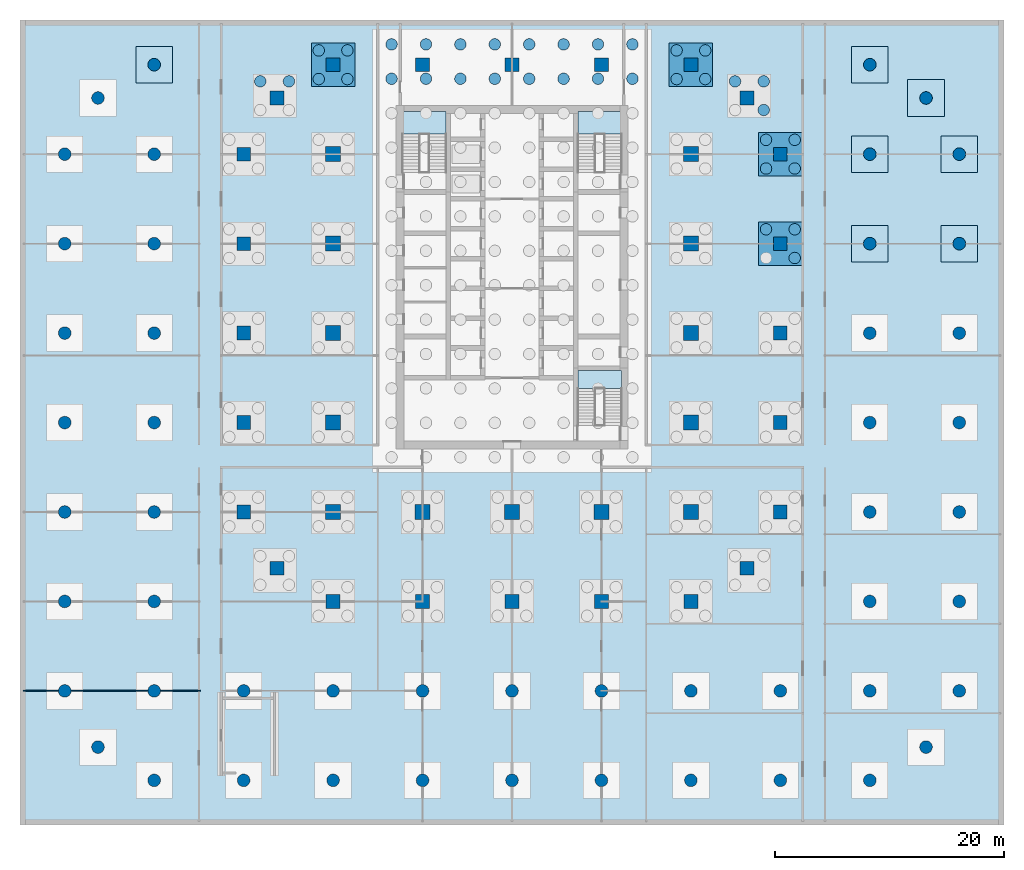
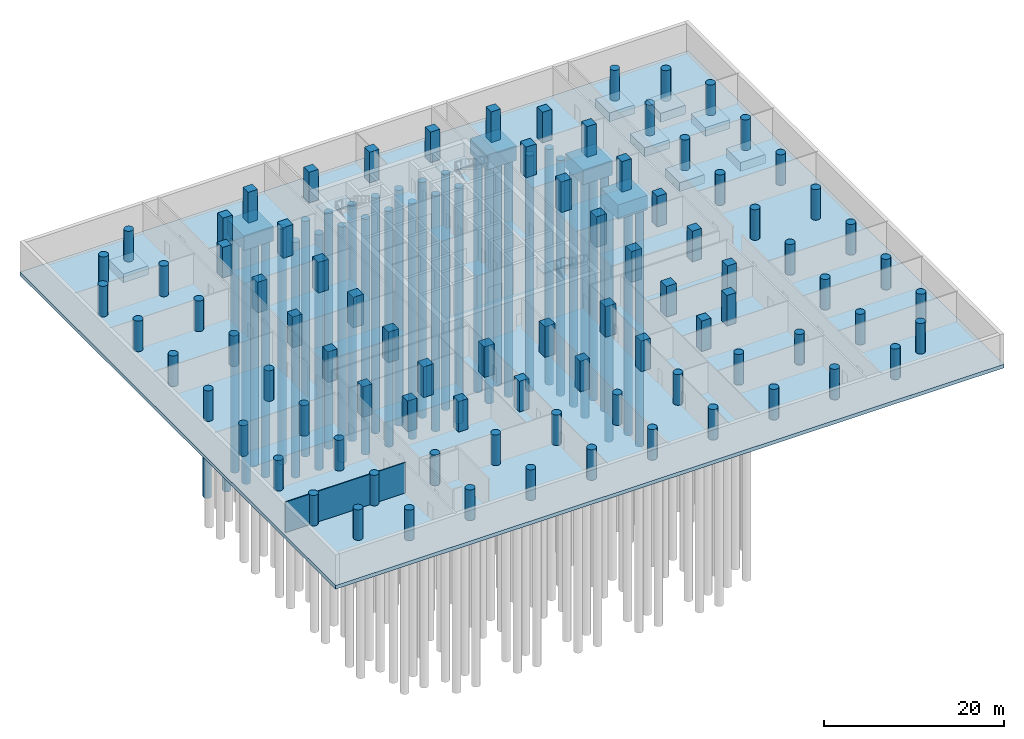
# One storey, part 2 of 16: 87 columns, 36 piles, 11 footings, 4 slabs, 1 wall, 3 elements without a shape of their own.
"""IFC4 building model written with IfcOpenShell, lengths in metres."""

import ifcopenshell
import ifcopenshell.guid

model = None  # the IFC model being written
_history = None  # IfcOwnerHistory: only IFC2X3 demands one
_inside = {}  # id of a spatial element -> (the spatial element, [elements in it])
_under = {}  # id of a project, library or spatial element -> (it, [spatial elements below it])
_declared = {}  # id of a project -> (the project, [libraries it declares])
_typed = {}  # id of a type object -> (the type object, [elements of that type])
_made_of = {}  # id of a material, layer set ... -> (it, [elements and type objects made of it])


def new_model(schema):
    """Start an empty IFC model of exactly this schema.

    Asked for "IFC4X3", IfcOpenShell would pick the latest addendum, in which some entities
    have other attributes; the version numbers below select the first issue.
    IFC2X3 requires an IfcOwnerHistory on every rooted entity: one is made here for all.
    """
    global model, _history
    if schema == "IFC4X3":
        model = ifcopenshell.file(schema_version=(4, 3, 0, 0))
    else:
        model = ifcopenshell.file(schema=schema)
    _inside.clear()
    _under.clear()
    _declared.clear()
    _typed.clear()
    _made_of.clear()
    _history = None
    if model.schema == "IFC2X3":
        org = make("IfcOrganization", Name="unknown")
        user = make(
            "IfcPersonAndOrganization",
            ThePerson=make("IfcPerson", FamilyName="unknown"),
            TheOrganization=org,
        )
        app = make(
            "IfcApplication",
            ApplicationDeveloper=org,
            Version="unknown",
            ApplicationFullName="unknown",
            ApplicationIdentifier="unknown",
        )
        _history = make(
            "IfcOwnerHistory",
            OwningUser=user,
            OwningApplication=app,
            ChangeAction="ADDED",
            CreationDate=0,
        )
    return model


def make(cls, **values):
    """One entity of the class cls with the attributes given. An attribute that is None is left unset."""
    return model.create_entity(
        cls, **{name: value for name, value in values.items() if value is not None}
    )


def rooted(cls, **values):
    """An entity with a GlobalId (a new one), such as an element, a storey or a relation."""
    return make(cls, GlobalId=ifcopenshell.guid.new(), OwnerHistory=_history, **values)


def si_unit(unit_type, name, prefix=None):
    """IfcSIUnit, for example si_unit("LENGTHUNIT", "METRE", prefix="MILLI")."""
    return make("IfcSIUnit", UnitType=unit_type, Prefix=prefix, Name=name)


def assignment(units):
    """IfcUnitAssignment: the units of a project."""
    return None if units is None else make("IfcUnitAssignment", Units=units)


def point(xyz):
    """IfcCartesianPoint."""
    return None if xyz is None else make("IfcCartesianPoint", Coordinates=xyz)


def direction(xyz):
    """IfcDirection."""
    return None if xyz is None else make("IfcDirection", DirectionRatios=xyz)


def frame(location, z_axis=None, x_axis=None):
    """IfcAxis2Placement3D, a coordinate frame: its origin and axes. An axis left out is left unset."""
    return make(
        "IfcAxis2Placement3D",
        Location=point(location),
        Axis=direction(z_axis),
        RefDirection=direction(x_axis),
    )


def frame_2d(location, x_axis=None):
    """IfcAxis2Placement2D, a coordinate frame in the plane: its origin and x axis."""
    return make(
        "IfcAxis2Placement2D", Location=point(location), RefDirection=direction(x_axis)
    )


def origin():
    """The frame at (0, 0, 0) with its axes left unset."""
    return frame((0.0, 0.0, 0.0))


def origin_2d():
    """The frame at (0, 0) in the plane with its x axis left unset."""
    return frame_2d((0.0, 0.0))


def place(relative_to, where):
    """IfcLocalPlacement: puts the frame where relative to a parent placement (None: the world)."""
    return make(
        "IfcLocalPlacement", PlacementRelTo=relative_to, RelativePlacement=where
    )


def context(
    kind, dimensions, precision=None, world=None, true_north=None, identifier=None
):
    """IfcGeometricRepresentationContext, for example the 3D "Model" context."""
    return make(
        "IfcGeometricRepresentationContext",
        ContextIdentifier=identifier,
        ContextType=kind,
        CoordinateSpaceDimension=dimensions,
        Precision=precision,
        WorldCoordinateSystem=world,
        TrueNorth=true_north,
    )


def subcontext(parent, identifier, kind, view, scale=None):
    """IfcGeometricRepresentationSubContext, for example "Body" below "Model"."""
    return make(
        "IfcGeometricRepresentationSubContext",
        ContextIdentifier=identifier,
        ContextType=kind,
        ParentContext=parent,
        TargetScale=scale,
        TargetView=view,
    )


def project(units=None, contexts=None):
    """IfcProject with its units and contexts."""
    return rooted(
        "IfcProject",
        Name="project",
        RepresentationContexts=contexts,
        UnitsInContext=assignment(units),
    )


def spatial(cls, under=None, at=None, **own):
    """A site, building, storey or space (cls), placed at a placement, below another one or the project."""
    s = rooted(cls, ObjectPlacement=at, **own)
    if under is not None:
        _under.setdefault(under.id(), (under, []))[1].append(s)
    return s


def polyline(points):
    """IfcPolyline through the points."""
    return make("IfcPolyline", Points=[point(p) for p in points])


def profile(cls, at=None, kind="AREA", **sizes):
    """A parametric profile (cls). Its sizes go by their IFC names, for example OverallWidth=200.0."""
    return make(cls, ProfileType=kind, Position=at, **sizes)


def rectangle(**sizes):
    """IfcRectangleProfileDef."""
    return profile("IfcRectangleProfileDef", **sizes)


def circle(**sizes):
    """IfcCircleProfileDef."""
    return profile("IfcCircleProfileDef", **sizes)


def outline(outer, holes=None, kind="AREA"):
    """IfcArbitraryClosedProfileDef: a profile drawn as a closed curve; with holes, ...WithVoids."""
    if holes is None:
        return make("IfcArbitraryClosedProfileDef", ProfileType=kind, OuterCurve=outer)
    return make(
        "IfcArbitraryProfileDefWithVoids",
        ProfileType=kind,
        OuterCurve=outer,
        InnerCurves=holes,
    )


def extrude(swept, where, along, depth):
    """IfcExtrudedAreaSolid: the profile swept, set in the frame where, extruded along a direction by depth."""
    return make(
        "IfcExtrudedAreaSolid",
        SweptArea=swept,
        Position=where,
        ExtrudedDirection=direction(along),
        Depth=depth,
    )


def shape(context_of_items, identifier, shape_type, items):
    """IfcShapeRepresentation: the items that make up one representation, for example the "Body"."""
    return make(
        "IfcShapeRepresentation",
        ContextOfItems=context_of_items,
        RepresentationIdentifier=identifier,
        RepresentationType=shape_type,
        Items=items,
    )


def material(Name=None, Category=None):
    """IfcMaterial."""
    return make("IfcMaterial", Name=Name, Category=Category)


def layer(
    of_material, thickness, ventilated=None, Name=None, Category=None, Priority=None
):
    """IfcMaterialLayer: one layer of a wall or slab, of a material (None: an air gap)."""
    return make(
        "IfcMaterialLayer",
        Material=of_material,
        LayerThickness=thickness,
        IsVentilated=ventilated,
        Name=Name,
        Category=Category,
        Priority=Priority,
    )


def layer_set(layers, Name=None):
    """IfcMaterialLayerSet."""
    return make("IfcMaterialLayerSet", MaterialLayers=layers, LayerSetName=Name)


def material_profile(
    of_material, cross_section, Name=None, Category=None, Priority=None
):
    """IfcMaterialProfile: a cross section and its material."""
    return make(
        "IfcMaterialProfile",
        Name=Name,
        Material=of_material,
        Profile=cross_section,
        Priority=Priority,
        Category=Category,
    )


def profile_set(profiles, Name=None, composite=None):
    """IfcMaterialProfileSet."""
    return make(
        "IfcMaterialProfileSet",
        Name=Name,
        MaterialProfiles=profiles,
        CompositeProfile=composite,
    )


def made_of(thing, what):
    """Note that an element or type object is made of a material, layer set ...; save() writes the relation."""
    if what is not None:
        _made_of.setdefault(what.id(), (what, []))[1].append(thing)
    return thing


def type_object(cls, material=None, **own):
    """A type object (cls), such as IfcWallType, which elements share."""
    return made_of(rooted(cls, **own), material)


def element(
    cls,
    number,
    at=None,
    inside=None,
    cuts=None,
    type_object=None,
    material=None,
    context=None,
    identifier="Body",
    shape_type=None,
    held_by="IfcProductDefinitionShape",
    body=None,
    shapes=None,
    **own,
):
    """One element of the class cls, such as IfcWall. Its Tag is "e" and its number.

    at: its placement. inside: the storey or other place that contains it. cuts: it is an
    opening in that element (IfcRelVoidsElement). A single representation is given by context,
    identifier, shape_type and body (its items); several are given by shapes. held_by: the class
    of the entity that holds the representations. save() writes the other relations.
    """
    e = rooted(cls, Tag="e%d" % number, ObjectPlacement=at, **own)
    if body is not None:
        shapes = [shape(context, identifier, shape_type, body)]
    if shapes is not None:
        e.Representation = make(held_by, Representations=shapes)
    if inside is not None:
        _inside.setdefault(inside.id(), (inside, []))[1].append(e)
    if cuts is not None:
        rooted(
            "IfcRelVoidsElement", RelatingBuildingElement=cuts, RelatedOpeningElement=e
        )
    if type_object is not None:
        _typed.setdefault(type_object.id(), (type_object, []))[1].append(e)
    return made_of(e, material)


def aggregate(whole, parts):
    """IfcRelAggregates: a whole, such as a stair, and the parts it consists of."""
    return rooted("IfcRelAggregates", RelatingObject=whole, RelatedObjects=parts)


def save(model, path):
    """Write the relations noted so far, then the file.

    IfcRelAggregates (storeys below a building ...), IfcRelContainedInSpatialStructure (elements
    in a storey), IfcRelDefinesByType, IfcRelAssociatesMaterial and IfcRelDeclares: one each for
    every whole, place, type object, material and project.
    """
    for whole, parts in _under.values():
        aggregate(whole, parts)
    for where, things in _inside.values():
        rooted(
            "IfcRelContainedInSpatialStructure",
            RelatedElements=things,
            RelatingStructure=where,
        )
    for kind, things in _typed.values():
        rooted("IfcRelDefinesByType", RelatedObjects=things, RelatingType=kind)
    for what, things in _made_of.values():
        rooted("IfcRelAssociatesMaterial", RelatedObjects=things, RelatingMaterial=what)
    for by, libraries in _declared.values():
        rooted("IfcRelDeclares", RelatingContext=by, RelatedDefinitions=libraries)
    model.write(path)


model = new_model("IFC4")

# Units and contexts
model_context = context("Model", 3, precision=1e-05, world=origin(), true_north=direction((0.0, 1.0)))
body_context = subcontext(model_context, "Body", "Model", "MODEL_VIEW")
ifc_project = project(units=[si_unit("LENGTHUNIT", "METRE"), si_unit("AREAUNIT", "SQUARE_METRE"), si_unit("VOLUMEUNIT", "CUBIC_METRE"), si_unit("PLANEANGLEUNIT", "RADIAN"), si_unit("MASSUNIT", "GRAM", prefix="KILO")], contexts=[model_context])

# Site, building, storey
site_placement = place(None, origin())
site = spatial("IfcSite", under=ifc_project, at=site_placement, CompositionType="ELEMENT")
building_placement = place(site_placement, origin())
building = spatial("IfcBuilding", under=site, at=building_placement, Name="Ludao Terraces", CompositionType="ELEMENT")
storey_placement = place(building_placement, frame((0.0, 0.0, -9.0)))
storey = spatial("IfcBuildingStorey", under=building, at=storey_placement, Name="B2", CompositionType="ELEMENT", Elevation=-9.0)

# Piles
ifc_material_1 = material(Name="Concrete C40", Category="concrete")
ifc_material_profile_1 = material_profile(ifc_material_1, circle(Radius=0.5, at=origin_2d()), Name="D1000 BORED PILE")
ifc_profile_set_1 = profile_set([ifc_material_profile_1], Name="Concrete C40")
pile_type = type_object("IfcPileType", Name="Bored pile D1000", PredefinedType="BORED", material=ifc_profile_set_1)
for number, where, z_axis, x_axis, name in (
    (1, (74.5, 87.175048828125, -3.89990234375), (0.0, 0.0, -1.0), (1.0, 0.0, 0.0), "Raft pile 1-12"),
    (2, (74.5, 90.175048828125, -3.89990234375), (0.0, 0.0, -1.0), (1.0, 0.0, 0.0), "Raft pile 1-13"),
    (3, (77.5, 87.175048828125, -3.89990234375), (0.0, 0.0, -1.0), (1.0, 0.0, 0.0), "Raft pile 2-12"),
    (4, (77.5, 90.175048828125, -3.89990234375), (0.0, 0.0, -1.0), (1.0, 0.0, 0.0), "Raft pile 2-13"),
    (5, (80.5, 87.175048828125, -3.89990234375), (0.0, 0.0, -1.0), (1.0, 0.0, 0.0), "Raft pile 3-12"),
    (6, (80.5, 90.175048828125, -3.89990234375), (0.0, 0.0, -1.0), (1.0, 0.0, 0.0), "Raft pile 3-13"),
    (7, (83.5, 87.175048828125, -3.89990234375), (0.0, 0.0, -1.0), (1.0, 0.0, 0.0), "Raft pile 4-12"),
    (8, (83.5, 90.175048828125, -3.89990234375), (0.0, 0.0, -1.0), (1.0, 0.0, 0.0), "Raft pile 4-13"),
    (9, (86.5, 87.175048828125, -3.89990234375), (0.0, 0.0, -1.0), (1.0, 0.0, 0.0), "Raft pile 5-12"),
    (10, (86.5, 90.175048828125, -3.89990234375), (0.0, 0.0, -1.0), (1.0, 0.0, 0.0), "Raft pile 5-13"),
    (11, (89.5, 87.175048828125, -3.89990234375), (0.0, 0.0, -1.0), (1.0, 0.0, 0.0), "Raft pile 6-12"),
    (12, (89.5, 90.175048828125, -3.89990234375), (0.0, 0.0, -1.0), (1.0, 0.0, 0.0), "Raft pile 6-13"),
    (13, (92.5, 87.175048828125, -3.89990234375), (0.0, 0.0, -1.0), (1.0, 0.0, 0.0), "Raft pile 7-12"),
    (14, (92.5, 90.175048828125, -3.89990234375), (0.0, 0.0, -1.0), (1.0, 0.0, 0.0), "Raft pile 7-13"),
    (15, (95.5, 87.175048828125, -3.89990234375), (0.0, 0.0, -1.0), (1.0, 0.0, 0.0), "Raft pile 8-12"),
    (16, (95.5, 90.175048828125, -3.89990234375), (0.0, 0.0, -1.0), (1.0, 0.0, 0.0), "Raft pile 8-13"),
    (17, (63.050048828125, 86.949951171875, -2.5), (0.0, 0.0, -1.0), (1.0, 0.0, 0.0), "Pile C0029x0439-3"),
    (18, (65.550048828125, 86.949951171875, -2.5), (0.0, 0.0, -1.0), (1.0, 0.0, 0.0), "Pile C0029x0439-4"),
    (19, (106.949951171875, 84.449951171875, -2.5), (0.0, 0.0, -1.0), (1.0, 0.0, 0.0), "Pile C0439x0439-2"),
    (20, (104.449951171875, 86.949951171875, -2.5), (0.0, 0.0, -1.0), (1.0, 0.0, 0.0), "Pile C0439x0439-3"),
    (21, (106.949951171875, 86.949951171875, -2.5), (0.0, 0.0, -1.0), (1.0, 0.0, 0.0), "Pile C0439x0439-4"),
    (22, (68.14990234375, 87.14990234375, -2.5), (0.0, 0.0, -1.0), (1.0, 0.0, 0.0), "Pile F0078x0468-1"),
    (23, (70.64990234375, 87.14990234375, -2.5), (0.0, 0.0, -1.0), (1.0, 0.0, 0.0), "Pile F0078x0468-2"),
    (24, (68.14990234375, 89.64990234375, -2.5), (0.0, 0.0, -1.0), (1.0, 0.0, 0.0), "Pile F0078x0468-3"),
    (25, (70.64990234375, 89.64990234375, -2.5), (0.0, 0.0, -1.0), (1.0, 0.0, 0.0), "Pile F0078x0468-4"),
    (26, (109.64990234375, 71.550048828125, -2.5), (0.0, 0.0, -1.0), (1.0, 0.0, 0.0), "Pile F0468x0312-2"),
    (27, (107.14990234375, 74.050048828125, -2.5), (0.0, 0.0, -1.0), (1.0, 0.0, 0.0), "Pile F0468x0312-3"),
    (28, (109.64990234375, 74.050048828125, -2.5), (0.0, 0.0, -1.0), (1.0, 0.0, 0.0), "Pile F0468x0312-4"),
    (29, (107.14990234375, 79.35009765625, -2.5), (0.0, 0.0, -1.0), (1.0, 0.0, 0.0), "Pile F0468x0390-1"),
    (30, (109.64990234375, 79.35009765625, -2.5), (0.0, 0.0, -1.0), (1.0, 0.0, 0.0), "Pile F0468x0390-2"),
    (31, (107.14990234375, 81.85009765625, -2.5), (0.0, 0.0, -1.0), (1.0, 0.0, 0.0), "Pile F0468x0390-3"),
    (32, (109.64990234375, 81.85009765625, -2.5), (0.0, 0.0, -1.0), (1.0, 0.0, 0.0), "Pile F0468x0390-4"),
    (33, (99.35009765625, 87.14990234375, -2.5), (0.0, 0.0, -1.0), (1.0, 0.0, 0.0), "Pile F0390x0468-1"),
    (34, (101.85009765625, 87.14990234375, -2.5), (0.0, 0.0, -1.0), (1.0, 0.0, 0.0), "Pile F0390x0468-2"),
    (35, (99.35009765625, 89.64990234375, -2.5), (0.0, 0.0, -1.0), (1.0, 0.0, 0.0), "Pile F0390x0468-3"),
    (36, (101.85009765625, 89.64990234375, -2.5), (0.0, 0.0, -1.0), (1.0, 0.0, 0.0), "Pile F0390x0468-4"),
):
    element("IfcPile", number, at=place(storey_placement, frame(where, z_axis=z_axis, x_axis=x_axis)), inside=storey, type_object=pile_type, Name=name, PredefinedType="BORED", context=body_context, shape_type="SweptSolid", body=[
        extrude(circle(Radius=0.5, at=origin_2d()), origin(), (0.0, 0.0, 1.0), 32.0),
    ])

# Footings
footing_type_1 = type_object("IfcFootingType", Name="Pad footing 3200x3200x1200 C40", PredefinedType="PAD_FOOTING", material=ifc_material_1)
for number, where, z_axis, x_axis, name in (
    (37, (53.800048828125, 88.39990234375, -1.7001953125), (0.0, 0.0, 1.0), (1.0, 0.0, 0.0), "Pad G-078x0468"),
    (38, (116.199951171875, 72.800048828125, -1.7001953125), (0.0, 0.0, 1.0), (1.0, 0.0, 0.0), "Pad G0546x0312"),
    (39, (116.199951171875, 80.60009765625, -1.7001953125), (0.0, 0.0, 1.0), (1.0, 0.0, 0.0), "Pad G0546x0390"),
    (40, (116.199951171875, 88.39990234375, -1.7001953125), (0.0, 0.0, 1.0), (1.0, 0.0, 0.0), "Pad G0546x0468"),
    (41, (124.0, 72.800048828125, -1.7001953125), (0.0, 0.0, 1.0), (1.0, 0.0, 0.0), "Pad G0624x0312"),
    (42, (124.0, 80.60009765625, -1.7001953125), (0.0, 0.0, 1.0), (1.0, 0.0, 0.0), "Pad G0624x0390"),
    (43, (121.10009765625, 85.5, -1.7001953125), (0.0, 0.0, 1.0), (1.0, 0.0, 0.0), "Pad G0595x0439"),
):
    element("IfcFooting", number, at=place(storey_placement, frame(where, z_axis=z_axis, x_axis=x_axis)), inside=storey, type_object=footing_type_1, Name=name, PredefinedType="PAD_FOOTING", context=body_context, shape_type="SweptSolid", body=[
        extrude(rectangle(XDim=3.199951171875, YDim=3.199951171875, at=origin_2d()), origin(), (0.0, 0.0, 1.0), 1.199951171875),
    ])
footing_type_2 = type_object("IfcFootingType", Name="Pile cap 3800x3800x2000 C40", PredefinedType="PILE_CAP", material=ifc_material_1)
for number, where, z_axis, x_axis, name in (
    (44, (69.39990234375, 88.39990234375, -2.5), (0.0, 0.0, 1.0), (1.0, 0.0, 0.0), "Cap F0078x0468"),
    (45, (108.39990234375, 72.800048828125, -2.5), (0.0, 0.0, 1.0), (1.0, 0.0, 0.0), "Cap F0468x0312"),
    (46, (108.39990234375, 80.60009765625, -2.5), (0.0, 0.0, 1.0), (1.0, 0.0, 0.0), "Cap F0468x0390"),
    (47, (100.60009765625, 88.39990234375, -2.5), (0.0, 0.0, 1.0), (1.0, 0.0, 0.0), "Cap F0390x0468"),
):
    element("IfcFooting", number, at=place(storey_placement, frame(where, z_axis=z_axis, x_axis=x_axis)), inside=storey, type_object=footing_type_2, Name=name, PredefinedType="PILE_CAP", context=body_context, shape_type="SweptSolid", body=[
        extrude(rectangle(XDim=3.800048828125, YDim=3.800048828125, at=origin_2d()), origin(), (0.0, 0.0, 1.0), 2.0),
    ])

# Columns
ifc_material_2 = material(Name="Concrete C60", Category="concrete")
ifc_material_profile_2 = material_profile(ifc_material_2, rectangle(XDim=1.199951171875, YDim=1.199951171875, at=origin_2d()), Name="1200 X 1200")
ifc_profile_set_2 = profile_set([ifc_material_profile_2], Name="Concrete C60")
column_type_1 = type_object("IfcColumnType", Name="RC column 1200x1200 C60", PredefinedType="COLUMN", material=ifc_profile_set_2)
for number, where, z_axis, x_axis, name in (
    (48, (64.5, 44.5, -0.5), (0.0, 0.0, 1.0), (1.0, 0.0, 0.0), "Column B2 C0029x0029"),
    (49, (105.5, 44.5, -0.5), (0.0, 0.0, 1.0), (1.0, 0.0, 0.0), "Column B2 C0439x0029"),
    (50, (64.5, 85.5, -0.5), (0.0, 0.0, 1.0), (1.0, 0.0, 0.0), "Column B2 C0029x0439"),
    (51, (105.5, 85.5, -0.5), (0.0, 0.0, 1.0), (1.0, 0.0, 0.0), "Column B2 C0439x0439"),
    (52, (61.60009765625, 49.39990234375, -0.5), (0.0, 0.0, 1.0), (1.0, 0.0, 0.0), "Column B2 F0000x0078"),
    (53, (108.39990234375, 49.39990234375, -0.5), (0.0, 0.0, 1.0), (1.0, 0.0, 0.0), "Column B2 F0468x0078"),
    (54, (69.39990234375, 41.60009765625, -0.5), (0.0, 0.0, 1.0), (1.0, 0.0, 0.0), "Column B2 F0078x0000"),
    (55, (69.39990234375, 88.39990234375, -0.5), (0.0, 0.0, 1.0), (1.0, 0.0, 0.0), "Column B2 F0078x0468"),
    (56, (61.60009765625, 57.199951171875, -0.5), (0.0, 0.0, 1.0), (1.0, 0.0, 0.0), "Column B2 F0000x0156"),
    (57, (108.39990234375, 57.199951171875, -0.5), (0.0, 0.0, 1.0), (1.0, 0.0, 0.0), "Column B2 F0468x0156"),
    (58, (77.199951171875, 41.60009765625, -0.5), (0.0, 0.0, 1.0), (1.0, 0.0, 0.0), "Column B2 F0156x0000"),
    (59, (77.199951171875, 88.39990234375, -0.5), (0.0, 0.0, 1.0), (1.0, 0.0, 0.0), "Column B2 F0156x0468"),
    (60, (61.60009765625, 65.0, -0.5), (0.0, 0.0, 1.0), (1.0, 0.0, 0.0), "Column B2 F0000x0234"),
    (61, (108.39990234375, 65.0, -0.5), (0.0, 0.0, 1.0), (1.0, 0.0, 0.0), "Column B2 F0468x0234"),
    (62, (85.0, 41.60009765625, -0.5), (0.0, 0.0, 1.0), (1.0, 0.0, 0.0), "Column B2 F0234x0000"),
    (63, (85.0, 88.39990234375, -0.5), (0.0, 0.0, 1.0), (1.0, 0.0, 0.0), "Column B2 F0234x0468"),
    (64, (61.60009765625, 72.800048828125, -0.5), (0.0, 0.0, 1.0), (1.0, 0.0, 0.0), "Column B2 F0000x0312"),
    (65, (108.39990234375, 72.800048828125, -0.5), (0.0, 0.0, 1.0), (1.0, 0.0, 0.0), "Column B2 F0468x0312"),
    (66, (92.800048828125, 41.60009765625, -0.5), (0.0, 0.0, 1.0), (1.0, 0.0, 0.0), "Column B2 F0312x0000"),
    (67, (92.800048828125, 88.39990234375, -0.5), (0.0, 0.0, 1.0), (1.0, 0.0, 0.0), "Column B2 F0312x0468"),
    (68, (61.60009765625, 80.60009765625, -0.5), (0.0, 0.0, 1.0), (1.0, 0.0, 0.0), "Column B2 F0000x0390"),
    (69, (108.39990234375, 80.60009765625, -0.5), (0.0, 0.0, 1.0), (1.0, 0.0, 0.0), "Column B2 F0468x0390"),
    (70, (100.60009765625, 41.60009765625, -0.5), (0.0, 0.0, 1.0), (1.0, 0.0, 0.0), "Column B2 F0390x0000"),
    (71, (100.60009765625, 88.39990234375, -0.5), (0.0, 0.0, 1.0), (1.0, 0.0, 0.0), "Column B2 F0390x0468"),
):
    element("IfcColumn", number, at=place(storey_placement, frame(where, z_axis=z_axis, x_axis=x_axis)), inside=storey, type_object=column_type_1, Name=name, PredefinedType="COLUMN", context=body_context, shape_type="SweptSolid", body=[
        extrude(rectangle(XDim=1.199951171875, YDim=1.199951171875, at=origin_2d()), origin(), (0.0, 0.0, 1.0), 4.64990234375),
    ])
ifc_material_profile_3 = material_profile(ifc_material_2, rectangle(XDim=1.300048828125, YDim=1.300048828125, at=origin_2d()), Name="1300 X 1300")
ifc_profile_set_3 = profile_set([ifc_material_profile_3], Name="Concrete C60")
column_type_2 = type_object("IfcColumnType", Name="RC column 1300x1300 C60", PredefinedType="COLUMN", material=ifc_profile_set_3)
for number, where, z_axis, x_axis, name in (
    (72, (69.39990234375, 49.39990234375, -0.5), (0.0, 0.0, 1.0), (1.0, 0.0, 0.0), "Column B2 S0078x0078"),
    (73, (69.39990234375, 57.199951171875, -0.5), (0.0, 0.0, 1.0), (1.0, 0.0, 0.0), "Column B2 S0078x0156"),
    (74, (69.39990234375, 65.0, -0.5), (0.0, 0.0, 1.0), (1.0, 0.0, 0.0), "Column B2 S0078x0234"),
    (75, (69.39990234375, 72.800048828125, -0.5), (0.0, 0.0, 1.0), (1.0, 0.0, 0.0), "Column B2 S0078x0312"),
    (76, (69.39990234375, 80.60009765625, -0.5), (0.0, 0.0, 1.0), (1.0, 0.0, 0.0), "Column B2 S0078x0390"),
    (77, (77.199951171875, 49.39990234375, -0.5), (0.0, 0.0, 1.0), (1.0, 0.0, 0.0), "Column B2 S0156x0078"),
    (78, (85.0, 49.39990234375, -0.5), (0.0, 0.0, 1.0), (1.0, 0.0, 0.0), "Column B2 S0234x0078"),
    (79, (92.800048828125, 49.39990234375, -0.5), (0.0, 0.0, 1.0), (1.0, 0.0, 0.0), "Column B2 S0312x0078"),
    (80, (100.60009765625, 49.39990234375, -0.5), (0.0, 0.0, 1.0), (1.0, 0.0, 0.0), "Column B2 S0390x0078"),
    (81, (100.60009765625, 57.199951171875, -0.5), (0.0, 0.0, 1.0), (1.0, 0.0, 0.0), "Column B2 S0390x0156"),
    (82, (100.60009765625, 65.0, -0.5), (0.0, 0.0, 1.0), (1.0, 0.0, 0.0), "Column B2 S0390x0234"),
    (83, (100.60009765625, 72.800048828125, -0.5), (0.0, 0.0, 1.0), (1.0, 0.0, 0.0), "Column B2 S0390x0312"),
    (84, (100.60009765625, 80.60009765625, -0.5), (0.0, 0.0, 1.0), (1.0, 0.0, 0.0), "Column B2 S0390x0390"),
):
    element("IfcColumn", number, at=place(storey_placement, frame(where, z_axis=z_axis, x_axis=x_axis)), inside=storey, type_object=column_type_2, Name=name, PredefinedType="COLUMN", context=body_context, shape_type="SweptSolid", body=[
        extrude(rectangle(XDim=1.300048828125, YDim=1.300048828125, at=origin_2d()), origin(), (0.0, 0.0, 1.0), 4.64990234375),
    ])
ifc_material_profile_4 = material_profile(ifc_material_2, circle(Radius=0.550048828125, at=origin_2d()), Name="D1100")
ifc_profile_set_4 = profile_set([ifc_material_profile_4], Name="Concrete C60")
column_type_3 = type_object("IfcColumnType", Name="RC column D1100 C60", PredefinedType="COLUMN", material=ifc_profile_set_4)
for number, where, z_axis, x_axis, name in (
    (85, (48.89990234375, 28.89990234375, -0.5), (0.0, 0.0, 1.0), (1.0, 0.0, 0.0), "Column B2 G-127x-127"),
    (86, (46.0, 33.800048828125, -0.5), (0.0, 0.0, 1.0), (1.0, 0.0, 0.0), "Column B2 G-156x-078"),
    (87, (46.0, 41.60009765625, -0.5), (0.0, 0.0, 1.0), (1.0, 0.0, 0.0), "Column B2 G-156x0000"),
    (88, (46.0, 49.39990234375, -0.5), (0.0, 0.0, 1.0), (1.0, 0.0, 0.0), "Column B2 G-156x0078"),
    (89, (46.0, 57.199951171875, -0.5), (0.0, 0.0, 1.0), (1.0, 0.0, 0.0), "Column B2 G-156x0156"),
    (90, (46.0, 65.0, -0.5), (0.0, 0.0, 1.0), (1.0, 0.0, 0.0), "Column B2 G-156x0234"),
    (91, (46.0, 72.800048828125, -0.5), (0.0, 0.0, 1.0), (1.0, 0.0, 0.0), "Column B2 G-156x0312"),
    (92, (46.0, 80.60009765625, -0.5), (0.0, 0.0, 1.0), (1.0, 0.0, 0.0), "Column B2 G-156x0390"),
    (93, (48.89990234375, 85.5, -0.5), (0.0, 0.0, 1.0), (1.0, 0.0, 0.0), "Column B2 G-127x0439"),
    (94, (53.800048828125, 26.0, -0.5), (0.0, 0.0, 1.0), (1.0, 0.0, 0.0), "Column B2 G-078x-156"),
    (95, (53.800048828125, 33.800048828125, -0.5), (0.0, 0.0, 1.0), (1.0, 0.0, 0.0), "Column B2 G-078x-078"),
    (96, (53.800048828125, 41.60009765625, -0.5), (0.0, 0.0, 1.0), (1.0, 0.0, 0.0), "Column B2 G-078x0000"),
    (97, (53.800048828125, 49.39990234375, -0.5), (0.0, 0.0, 1.0), (1.0, 0.0, 0.0), "Column B2 G-078x0078"),
    (98, (53.800048828125, 57.199951171875, -0.5), (0.0, 0.0, 1.0), (1.0, 0.0, 0.0), "Column B2 G-078x0156"),
    (99, (53.800048828125, 65.0, -0.5), (0.0, 0.0, 1.0), (1.0, 0.0, 0.0), "Column B2 G-078x0234"),
    (100, (53.800048828125, 72.800048828125, -0.5), (0.0, 0.0, 1.0), (1.0, 0.0, 0.0), "Column B2 G-078x0312"),
    (101, (53.800048828125, 80.60009765625, -0.5), (0.0, 0.0, 1.0), (1.0, 0.0, 0.0), "Column B2 G-078x0390"),
    (102, (53.800048828125, 88.39990234375, -0.5), (0.0, 0.0, 1.0), (1.0, 0.0, 0.0), "Column B2 G-078x0468"),
    (103, (61.60009765625, 26.0, -0.5), (0.0, 0.0, 1.0), (1.0, 0.0, 0.0), "Column B2 G0000x-156"),
    (104, (61.60009765625, 33.800048828125, -0.5), (0.0, 0.0, 1.0), (1.0, 0.0, 0.0), "Column B2 G0000x-078"),
    (105, (69.39990234375, 26.0, -0.5), (0.0, 0.0, 1.0), (1.0, 0.0, 0.0), "Column B2 G0078x-156"),
    (106, (69.39990234375, 33.800048828125, -0.5), (0.0, 0.0, 1.0), (1.0, 0.0, 0.0), "Column B2 G0078x-078"),
    (107, (77.199951171875, 26.0, -0.5), (0.0, 0.0, 1.0), (1.0, 0.0, 0.0), "Column B2 G0156x-156"),
    (108, (77.199951171875, 33.800048828125, -0.5), (0.0, 0.0, 1.0), (1.0, 0.0, 0.0), "Column B2 G0156x-078"),
    (109, (85.0, 26.0, -0.5), (0.0, 0.0, 1.0), (1.0, 0.0, 0.0), "Column B2 G0234x-156"),
    (110, (85.0, 33.800048828125, -0.5), (0.0, 0.0, 1.0), (1.0, 0.0, 0.0), "Column B2 G0234x-078"),
    (111, (92.800048828125, 26.0, -0.5), (0.0, 0.0, 1.0), (1.0, 0.0, 0.0), "Column B2 G0312x-156"),
    (112, (92.800048828125, 33.800048828125, -0.5), (0.0, 0.0, 1.0), (1.0, 0.0, 0.0), "Column B2 G0312x-078"),
    (113, (100.60009765625, 26.0, -0.5), (0.0, 0.0, 1.0), (1.0, 0.0, 0.0), "Column B2 G0390x-156"),
    (114, (100.60009765625, 33.800048828125, -0.5), (0.0, 0.0, 1.0), (1.0, 0.0, 0.0), "Column B2 G0390x-078"),
    (115, (108.39990234375, 26.0, -0.5), (0.0, 0.0, 1.0), (1.0, 0.0, 0.0), "Column B2 G0468x-156"),
    (116, (108.39990234375, 33.800048828125, -0.5), (0.0, 0.0, 1.0), (1.0, 0.0, 0.0), "Column B2 G0468x-078"),
    (117, (116.199951171875, 26.0, -0.5), (0.0, 0.0, 1.0), (1.0, 0.0, 0.0), "Column B2 G0546x-156"),
    (118, (116.199951171875, 33.800048828125, -0.5), (0.0, 0.0, 1.0), (1.0, 0.0, 0.0), "Column B2 G0546x-078"),
    (119, (116.199951171875, 41.60009765625, -0.5), (0.0, 0.0, 1.0), (1.0, 0.0, 0.0), "Column B2 G0546x0000"),
    (120, (116.199951171875, 49.39990234375, -0.5), (0.0, 0.0, 1.0), (1.0, 0.0, 0.0), "Column B2 G0546x0078"),
    (121, (116.199951171875, 57.199951171875, -0.5), (0.0, 0.0, 1.0), (1.0, 0.0, 0.0), "Column B2 G0546x0156"),
    (122, (116.199951171875, 65.0, -0.5), (0.0, 0.0, 1.0), (1.0, 0.0, 0.0), "Column B2 G0546x0234"),
    (123, (116.199951171875, 72.800048828125, -0.5), (0.0, 0.0, 1.0), (1.0, 0.0, 0.0), "Column B2 G0546x0312"),
    (124, (116.199951171875, 80.60009765625, -0.5), (0.0, 0.0, 1.0), (1.0, 0.0, 0.0), "Column B2 G0546x0390"),
    (125, (116.199951171875, 88.39990234375, -0.5), (0.0, 0.0, 1.0), (1.0, 0.0, 0.0), "Column B2 G0546x0468"),
    (126, (121.10009765625, 28.89990234375, -0.5), (0.0, 0.0, 1.0), (1.0, 0.0, 0.0), "Column B2 G0595x-127"),
    (127, (124.0, 33.800048828125, -0.5), (0.0, 0.0, 1.0), (1.0, 0.0, 0.0), "Column B2 G0624x-078"),
    (128, (124.0, 41.60009765625, -0.5), (0.0, 0.0, 1.0), (1.0, 0.0, 0.0), "Column B2 G0624x0000"),
    (129, (124.0, 49.39990234375, -0.5), (0.0, 0.0, 1.0), (1.0, 0.0, 0.0), "Column B2 G0624x0078"),
    (130, (124.0, 57.199951171875, -0.5), (0.0, 0.0, 1.0), (1.0, 0.0, 0.0), "Column B2 G0624x0156"),
    (131, (124.0, 65.0, -0.5), (0.0, 0.0, 1.0), (1.0, 0.0, 0.0), "Column B2 G0624x0234"),
    (132, (124.0, 72.800048828125, -0.5), (0.0, 0.0, 1.0), (1.0, 0.0, 0.0), "Column B2 G0624x0312"),
    (133, (124.0, 80.60009765625, -0.5), (0.0, 0.0, 1.0), (1.0, 0.0, 0.0), "Column B2 G0624x0390"),
    (134, (121.10009765625, 85.5, -0.5), (0.0, 0.0, 1.0), (1.0, 0.0, 0.0), "Column B2 G0595x0439"),
):
    element("IfcColumn", number, at=place(storey_placement, frame(where, z_axis=z_axis, x_axis=x_axis)), inside=storey, type_object=column_type_3, Name=name, PredefinedType="COLUMN", context=body_context, shape_type="SweptSolid", body=[
        extrude(circle(Radius=0.550048828125, at=origin_2d()), origin(), (0.0, 0.0, 1.0), 4.64990234375),
    ])

# Slab
ifc_layer_1 = layer(ifc_material_1, 0.5)
ifc_layer_set_1 = layer_set([ifc_layer_1], Name="Base slab 500 C40")
slab_type_1 = type_object("IfcSlabType", Name="Base slab 500 C40", PredefinedType="BASESLAB", material=ifc_layer_set_1)
slab_1_placement = place(storey_placement, frame((0.0, 0.0, -0.5)))
element("IfcSlab", 135, at=slab_1_placement, inside=storey, type_object=slab_type_1, Name="Slab B2", PredefinedType="BASESLAB", context=body_context, shape_type="SweptSolid", body=[
    extrude(outline(polyline([(42.10009765625, 22.10009765625), (127.89990234375, 22.10009765625), (127.89990234375, 92.300048828125), (42.10009765625, 92.300048828125), (42.10009765625, 22.10009765625)])), origin(), (0.0, 0.0, 1.0), 0.5),
])

# Stair, slab
stair_type = type_object("IfcStairType", Name="INT Stair", PredefinedType="HALF_TURN_STAIR", material=ifc_material_1)
stair_1_placement = place(storey_placement, origin())
stair_1 = element("IfcStair", 136, at=stair_1_placement, inside=storey, type_object=stair_type, Name="EXIT STAIR 1", PredefinedType="HALF_TURN_STAIR")
ifc_layer_2 = layer(ifc_material_1, 0.199951171875)
ifc_layer_set_2 = layer_set([ifc_layer_2], Name="INT Stair landing 200")
slab_type_2 = type_object("IfcSlabType", Name="INT Stair landing 200", PredefinedType="LANDING", material=ifc_layer_set_2)
slab_2_placement = place(storey_placement, frame((0.0, 0.0, 2.050048828125)))
slab_2 = element("IfcSlab", 137, at=slab_2_placement, type_object=slab_type_2, Name="ST1 landing 1", PredefinedType="LANDING", context=body_context, shape_type="SweptSolid", body=[
    extrude(outline(polyline([(75.449951171875, 82.360107421875), (79.25, 82.360107421875), (79.25, 84.300048828125), (75.449951171875, 84.300048828125), (75.449951171875, 82.360107421875)])), origin(), (0.0, 0.0, 1.0), 0.199951171875),
])
aggregate(stair_1, [slab_2])

stair_2_placement = place(storey_placement, origin())
stair_2 = element("IfcStair", 138, at=stair_2_placement, inside=storey, type_object=stair_type, Name="EXIT STAIR 2", PredefinedType="HALF_TURN_STAIR")
slab_3_placement = place(storey_placement, frame((0.0, 0.0, 2.050048828125)))
slab_3 = element("IfcSlab", 139, at=slab_3_placement, type_object=slab_type_2, Name="ST2 landing 1", PredefinedType="LANDING", context=body_context, shape_type="SweptSolid", body=[
    extrude(outline(polyline([(90.75, 82.360107421875), (94.550048828125, 82.360107421875), (94.550048828125, 84.300048828125), (90.75, 84.300048828125), (90.75, 82.360107421875)])), origin(), (0.0, 0.0, 1.0), 0.199951171875),
])
aggregate(stair_2, [slab_3])

stair_3_placement = place(storey_placement, origin())
stair_3 = element("IfcStair", 140, at=stair_3_placement, inside=storey, type_object=stair_type, Name="EXIT STAIR 3", PredefinedType="HALF_TURN_STAIR")
slab_4_placement = place(storey_placement, frame((0.0, 0.0, 2.050048828125)))
slab_4 = element("IfcSlab", 141, at=slab_4_placement, type_object=slab_type_2, Name="ST3 landing 1", PredefinedType="LANDING", context=body_context, shape_type="SweptSolid", body=[
    extrude(outline(polyline([(90.75, 60.18994140625), (94.550048828125, 60.18994140625), (94.550048828125, 61.75), (90.75, 61.75), (90.75, 60.18994140625)])), origin(), (0.0, 0.0, 1.0), 0.199951171875),
])
aggregate(stair_3, [slab_4])

# Wall
ifc_material_3 = material(Name="Gypsum plasterboard", Category="gypsum")
ifc_layer_3 = layer(ifc_material_3, 0.012451171875, Category="gypsum")
ifc_material_4 = material(Name="Mineral wool")
ifc_layer_4 = layer(ifc_material_4, 0.06005859375, Name="insulation")
ifc_material_5 = material(Name="Steel Q235", Category="steel")
ifc_layer_5 = layer(ifc_material_5, 0.014892578125, Name="stud")
ifc_layer_6 = layer(ifc_material_3, 0.012451171875, Category="gypsum")
ifc_layer_set_3 = layer_set([ifc_layer_3, ifc_layer_4, ifc_layer_5, ifc_layer_6], Name="INT Partition 100")
wall_type = type_object("IfcWallType", Name="INT Partition 100", PredefinedType="PARTITIONING", material=ifc_layer_set_3)
wall_placement = place(storey_placement, frame((42.400146484375, 33.800048828125, 0.0), z_axis=(0.0, 0.0, 1.0), x_axis=(1.0, 0.0, 0.0)))
element("IfcWall", 142, at=wall_placement, inside=storey, type_object=wall_type, Name="PW-B2-PW002", PredefinedType="PARTITIONING", context=body_context, shape_type="SweptSolid", body=[
    extrude(rectangle(XDim=15.39990234375, YDim=0.10009765625, at=frame_2d((7.699951171875, 0.0))), origin(), (0.0, 0.0, 1.0), 4.14990234375),
])

save(model, "model.ifc")
